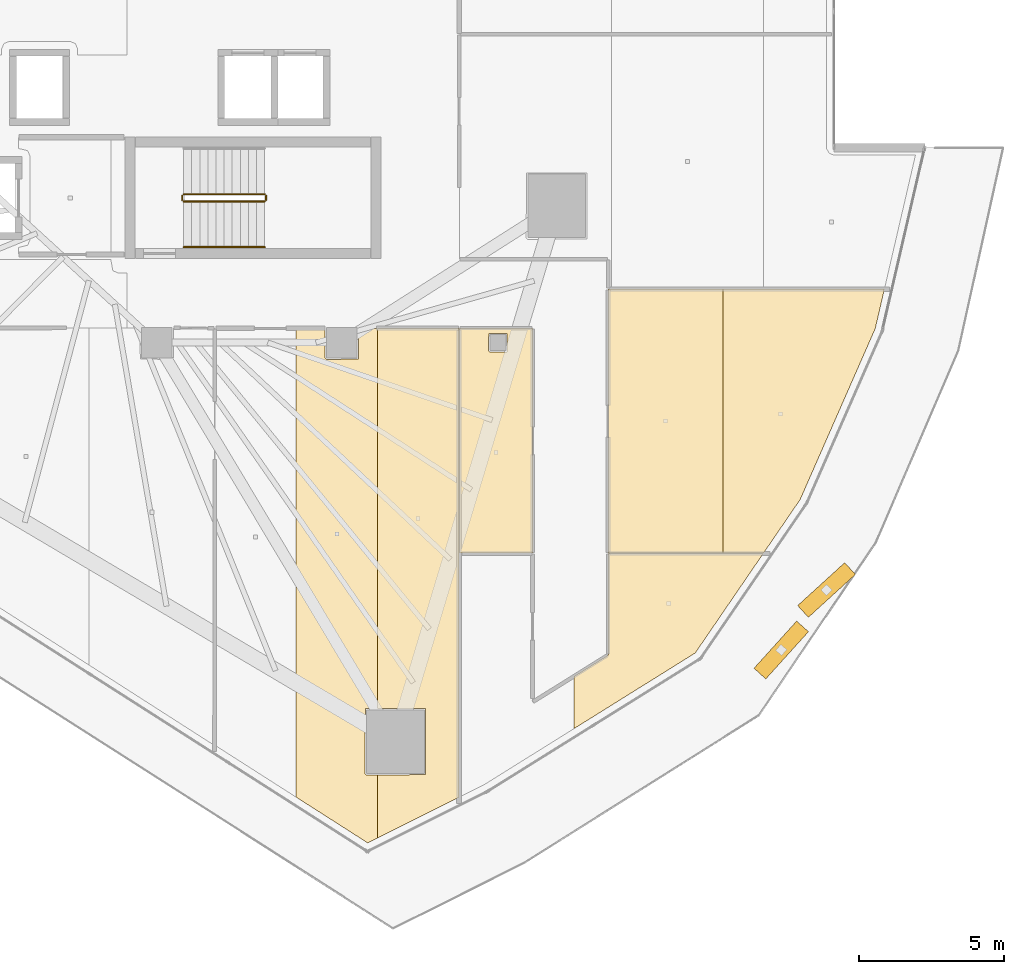
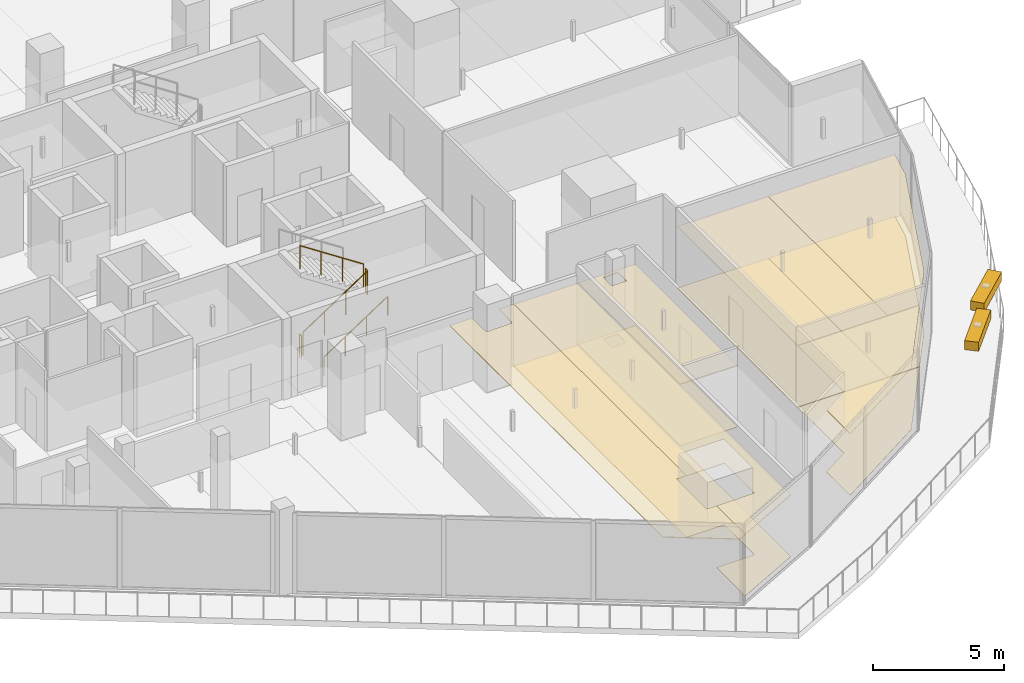
# One storey, part 33 of 36: 11 coverings, 5 railings, 2 shading devices.
"""IFC4 building model written with IfcOpenShell, lengths in metres."""

from ifc_helpers import new_model, si_unit, direction, frame, origin, origin_2d, place, context, subcontext, project, spatial, polyline, rectangle, circle, outline, extrude, material, layer, layer_set, type_object, element, save


model = new_model("IFC4")

# Units and contexts
model_context = context("Model", 3, precision=1e-05, world=origin(), true_north=direction((0.0, 1.0)))
body_context = subcontext(model_context, "Body", "Model", "MODEL_VIEW")
ifc_project = project(units=[si_unit("LENGTHUNIT", "METRE"), si_unit("AREAUNIT", "SQUARE_METRE"), si_unit("VOLUMEUNIT", "CUBIC_METRE"), si_unit("PLANEANGLEUNIT", "RADIAN"), si_unit("MASSUNIT", "GRAM", prefix="KILO")], contexts=[model_context])

# Site, building, storey
site_placement = place(None, origin())
site = spatial("IfcSite", under=ifc_project, at=site_placement, CompositionType="ELEMENT")
building_placement = place(site_placement, origin())
building = spatial("IfcBuilding", under=site, at=building_placement, Name="Qorvath Tower", CompositionType="ELEMENT")
storey_placement = place(building_placement, frame((0.0, 0.0, 170.550048828125)))
storey = spatial("IfcBuildingStorey", under=building, at=storey_placement, Name="L39", CompositionType="ELEMENT", Elevation=170.550048828125)

# Coverings
ifc_material_1 = material(Name="Acoustic mineral fibre ceiling tile", Category="gypsum")
ifc_layer_1 = layer(ifc_material_1, 0.030029296875)
ifc_layer_set_1 = layer_set([ifc_layer_1], Name="COV-CEIL")
covering_type_1 = type_object("IfcCoveringType", Name="COV-CEIL", PredefinedType="CEILING", material=ifc_layer_set_1)
covering_1_placement = place(storey_placement, frame((0.0, 0.0, 2.849853515625)))
element("IfcCovering", 1, at=covering_1_placement, inside=storey, type_object=covering_type_1, Name="L39 Suspended Acoustic Ceiling 017", PredefinedType="CEILING", context=body_context, shape_type="SweptSolid", body=[
    extrude(outline(polyline([(-15.96630859375, -28.58251953125), (-15.96630859375, -26.40283203125), (-16.34423828125, -26.406005859375), (-16.404296875, -26.34619140625), (-16.38671875, -24.103759765625), (-15.96630859375, -24.103759765625), (-15.96630859375, -10.962890625), (-16.614990234375, -10.962890625), (-16.632568359375, -12.017333984375), (-17.72509765625, -12.034912109375), (-17.784912109375, -11.97509765625), (-17.784912109375, -10.962890625), (-18.77783203125, -10.962890625), (-18.77783203125, -27.16943359375), (-16.30322265625, -28.7509765625), (-15.96630859375, -28.58251953125)])), origin(), (0.0, 0.0, 1.0), 0.030029296875),
])
covering_2_placement = place(storey_placement, frame((0.0, 0.0, 2.849853515625)))
element("IfcCovering", 2, at=covering_2_placement, inside=storey, type_object=covering_type_1, Name="L39 Suspended Acoustic Ceiling 018", PredefinedType="CEILING", context=body_context, shape_type="SweptSolid", body=[
    extrude(outline(polyline([(-13.155029296875, -27.177001953125), (-13.155029296875, -10.962890625), (-15.96630859375, -10.962890625), (-15.96630859375, -24.103759765625), (-14.3017578125, -24.103759765625), (-14.3017578125, -26.388427734375), (-15.96630859375, -26.40283203125), (-15.96630859375, -28.58251953125), (-13.155029296875, -27.177001953125)])), origin(), (0.0, 0.0, 1.0), 0.030029296875),
])
covering_3_placement = place(storey_placement, frame((0.0, 0.0, 2.849853515625)))
element("IfcCovering", 3, at=covering_3_placement, inside=storey, type_object=covering_type_1, Name="L39 Suspended Acoustic Ceiling 020", PredefinedType="CEILING", context=body_context, shape_type="SweptSolid", body=[
    extrude(outline(polyline([(-9.174072265625, -22.991943359375), (-9.174072265625, -24.7998046875), (-4.979736328125, -22.182861328125), (-2.63232421875, -18.7490234375), (-7.987060546875, -18.7490234375), (-7.987060546875, -22.25048828125), (-9.174072265625, -22.991943359375)])), origin(), (0.0, 0.0, 1.0), 0.030029296875),
])
covering_4_placement = place(storey_placement, frame((0.0, 0.0, 2.849853515625)))
element("IfcCovering", 4, at=covering_4_placement, inside=storey, type_object=covering_type_1, Name="L39 Suspended Acoustic Ceiling 021", PredefinedType="CEILING", context=body_context, shape_type="SweptSolid", body=[
    extrude(outline(polyline([(-7.987060546875, -18.731201171875), (-4.01611328125, -18.731201171875), (-4.01611328125, -9.6064453125), (-7.987060546875, -9.6064453125), (-7.987060546875, -18.731201171875)])), origin(), (0.0, 0.0, 1.0), 0.030029296875),
])
covering_5_placement = place(storey_placement, frame((0.0, 0.0, 2.849853515625)))
element("IfcCovering", 5, at=covering_5_placement, inside=storey, type_object=covering_type_1, Name="L39 Suspended Acoustic Ceiling 022", PredefinedType="CEILING", context=body_context, shape_type="SweptSolid", body=[
    extrude(outline(polyline([(-4.01611328125, -9.6064453125), (-4.01611328125, -18.731201171875), (-2.619873046875, -18.731201171875), (-1.352294921875, -16.876708984375), (1.243408203125, -10.964599609375), (1.558349609375, -9.6064453125), (-4.01611328125, -9.6064453125)])), origin(), (0.0, 0.0, 1.0), 0.030029296875),
])
covering_6_placement = place(storey_placement, frame((0.0, 0.0, 2.849853515625)))
element("IfcCovering", 6, at=covering_6_placement, inside=storey, type_object=covering_type_1, Name="L39 Suspended Acoustic Ceiling 023", PredefinedType="CEILING", context=body_context, shape_type="SweptSolid", body=[
    extrude(outline(polyline([(-13.136962890625, -10.962890625), (-13.136962890625, -18.731201171875), (-10.613037109375, -18.731201171875), (-10.613037109375, -10.962890625), (-13.136962890625, -10.962890625)]), holes=[polyline([(-12.117431640625, -11.132568359375), (-11.482666015625, -11.132568359375), (-11.482666015625, -11.767333984375), (-12.074951171875, -11.784912109375), (-12.135009765625, -11.72509765625), (-12.117431640625, -11.132568359375)])]), origin(), (0.0, 0.0, 1.0), 0.030029296875),
])
ifc_material_2 = material(Name="Low-VOC modular carpet tile", Category="textile")
ifc_layer_2 = layer(ifc_material_2, 0.014892578125)
ifc_layer_set_2 = layer_set([ifc_layer_2], Name="COV-FLOOR-CPT")
covering_type_2 = type_object("IfcCoveringType", Name="COV-FLOOR-CPT", PredefinedType="FLOORING", material=ifc_layer_set_2)
covering_7_placement = place(storey_placement, origin())
element("IfcCovering", 7, at=covering_7_placement, inside=storey, type_object=covering_type_2, Name="L39 Floor Finish 018", PredefinedType="FLOORING", context=body_context, shape_type="SweptSolid", body=[
    extrude(outline(polyline([(-13.155029296875, -27.177001953125), (-13.155029296875, -10.962890625), (-15.96630859375, -10.962890625), (-15.96630859375, -24.103759765625), (-14.3017578125, -24.103759765625), (-14.3017578125, -26.388427734375), (-15.96630859375, -26.40283203125), (-15.96630859375, -28.58251953125), (-13.155029296875, -27.177001953125)])), origin(), (0.0, 0.0, 1.0), 0.014892578125),
])
covering_8_placement = place(storey_placement, origin())
element("IfcCovering", 8, at=covering_8_placement, inside=storey, type_object=covering_type_2, Name="L39 Floor Finish 020", PredefinedType="FLOORING", context=body_context, shape_type="SweptSolid", body=[
    extrude(outline(polyline([(-9.174072265625, -22.991943359375), (-9.174072265625, -24.7998046875), (-4.979736328125, -22.182861328125), (-2.63232421875, -18.7490234375), (-7.987060546875, -18.7490234375), (-7.987060546875, -22.25048828125), (-9.174072265625, -22.991943359375)])), origin(), (0.0, 0.0, 1.0), 0.014892578125),
])
covering_9_placement = place(storey_placement, origin())
element("IfcCovering", 9, at=covering_9_placement, inside=storey, type_object=covering_type_2, Name="L39 Floor Finish 021", PredefinedType="FLOORING", context=body_context, shape_type="SweptSolid", body=[
    extrude(outline(polyline([(-7.987060546875, -18.731201171875), (-4.01611328125, -18.731201171875), (-4.01611328125, -9.6064453125), (-7.987060546875, -9.6064453125), (-7.987060546875, -18.731201171875)])), origin(), (0.0, 0.0, 1.0), 0.014892578125),
])
covering_10_placement = place(storey_placement, origin())
element("IfcCovering", 10, at=covering_10_placement, inside=storey, type_object=covering_type_2, Name="L39 Floor Finish 022", PredefinedType="FLOORING", context=body_context, shape_type="SweptSolid", body=[
    extrude(outline(polyline([(-4.01611328125, -9.6064453125), (-4.01611328125, -18.731201171875), (-2.619873046875, -18.731201171875), (-1.352294921875, -16.876708984375), (1.243408203125, -10.964599609375), (1.558349609375, -9.6064453125), (-4.01611328125, -9.6064453125)])), origin(), (0.0, 0.0, 1.0), 0.014892578125),
])
covering_11_placement = place(storey_placement, origin())
element("IfcCovering", 11, at=covering_11_placement, inside=storey, type_object=covering_type_2, Name="L39 Floor Finish 023", PredefinedType="FLOORING", context=body_context, shape_type="SweptSolid", body=[
    extrude(outline(polyline([(-13.136962890625, -10.962890625), (-13.136962890625, -18.731201171875), (-10.613037109375, -18.731201171875), (-10.613037109375, -10.962890625), (-13.136962890625, -10.962890625)]), holes=[polyline([(-12.117431640625, -11.132568359375), (-11.482666015625, -11.132568359375), (-11.482666015625, -11.767333984375), (-12.074951171875, -11.784912109375), (-12.135009765625, -11.72509765625), (-12.117431640625, -11.132568359375)])]), origin(), (0.0, 0.0, 1.0), 0.014892578125),
])

# Railings
ifc_material_3 = material(Name="Painted galvanised steel", Category="steel")
railing_type_1 = type_object("IfcRailingType", Name="RL-STR-GRD", PredefinedType="GUARDRAIL", material=ifc_material_3)
railing_1_placement = place(storey_placement, frame((-22.669921875, -6.570068359375, 0.18408203125)))
element("IfcRailing", 12, at=railing_1_placement, inside=storey, type_object=railing_type_1, Name="L39 TS2 stair guard 1", PredefinedType="GUARDRAIL", context=body_context, shape_type="SweptSolid", body=[
    extrude(circle(Radius=0.02392578125, at=origin_2d()), frame((0.0, 0.0, 1.076171875), z_axis=(0.835575518608, 0.0, 0.549375602573), x_axis=(0.0, 1.0, 0.0)), (0.0, 0.0, 1.0), 3.350830078125),
    extrude(circle(Radius=0.02099609375, at=origin_2d()), origin(), (0.0, 0.0, 1.0), 1.052001953125),
    extrude(circle(Radius=0.02099609375, at=origin_2d()), frame((0.933349609375, 0.0, 0.613525390625)), (0.0, 0.0, 1.0), 1.052001953125),
    extrude(circle(Radius=0.02099609375, at=origin_2d()), frame((1.866455078125, 0.0, 1.227294921875)), (0.0, 0.0, 1.0), 1.052001953125),
    extrude(circle(Radius=0.02099609375, at=origin_2d()), frame((2.7998046875, 0.0, 1.8408203125)), (0.0, 0.0, 1.0), 1.052001953125),
])
railing_2_placement = place(storey_placement, frame((-19.820068359375, -6.52001953125, 2.02490234375)))
element("IfcRailing", 13, at=railing_2_placement, inside=storey, type_object=railing_type_1, Name="L39 TS2 stair guard 2", PredefinedType="GUARDRAIL", context=body_context, shape_type="SweptSolid", body=[
    extrude(circle(Radius=0.02392578125, at=origin_2d()), frame((0.0, 0.0, 1.076171875), z_axis=(0.0, 1.0, 0.0), x_axis=(-1.0, 0.0, 0.0)), (0.0, 0.0, 1.0), 0.14990234375),
    extrude(circle(Radius=0.02099609375, at=origin_2d()), origin(), (0.0, 0.0, 1.0), 1.052001953125),
    extrude(circle(Radius=0.02099609375, at=origin_2d()), frame((0.0, 0.14990234375, 0.0)), (0.0, 0.0, 1.0), 1.052001953125),
])
railing_3_placement = place(storey_placement, frame((-19.8701171875, -6.320068359375, 2.208984375)))
element("IfcRailing", 14, at=railing_3_placement, inside=storey, type_object=railing_type_1, Name="L39 TS2 stair guard 3", PredefinedType="GUARDRAIL", context=body_context, shape_type="SweptSolid", body=[
    extrude(circle(Radius=0.02392578125, at=origin_2d()), frame((0.0, 0.0, 1.076171875), z_axis=(-0.835542071712, 0.0, 0.549426470421), x_axis=(0.0, -1.0, 0.0)), (0.0, 0.0, 1.0), 3.350830078125),
    extrude(circle(Radius=0.02099609375, at=origin_2d()), origin(), (0.0, 0.0, 1.0), 1.052001953125),
    extrude(circle(Radius=0.02099609375, at=origin_2d()), frame((-0.933349609375, 0.0, 0.61376953125)), (0.0, 0.0, 1.0), 1.052001953125),
    extrude(circle(Radius=0.02099609375, at=origin_2d()), frame((-1.866455078125, 0.0, 1.227294921875)), (0.0, 0.0, 1.0), 1.052001953125),
    extrude(circle(Radius=0.02099609375, at=origin_2d()), frame((-2.7998046875, 0.0, 1.841064453125)), (0.0, 0.0, 1.0), 1.052001953125),
])
railing_4_placement = place(storey_placement, frame((-22.719970703125, -6.52001953125, 0.0)))
element("IfcRailing", 15, at=railing_4_placement, inside=storey, type_object=railing_type_1, Name="L39 TS2 stair guard 4", PredefinedType="GUARDRAIL", context=body_context, shape_type="SweptSolid", body=[
    extrude(circle(Radius=0.02392578125, at=origin_2d()), frame((0.0, 0.0, 1.076171875), z_axis=(0.0, 1.0, 0.0), x_axis=(-1.0, 0.0, 0.0)), (0.0, 0.0, 1.0), 0.14990234375),
    extrude(circle(Radius=0.02099609375, at=origin_2d()), origin(), (0.0, 0.0, 1.0), 1.052001953125),
    extrude(circle(Radius=0.02099609375, at=origin_2d()), frame((0.0, 0.14990234375, 0.0)), (0.0, 0.0, 1.0), 1.052001953125),
])
ifc_material_4 = material(Name="Brushed stainless steel AISI 304", Category="steel")
railing_type_2 = type_object("IfcRailingType", Name="RL-STR-HND", PredefinedType="HANDRAIL", material=ifc_material_4)
railing_5_placement = place(storey_placement, frame((-22.669921875, -8.14990234375, 0.18408203125)))
element("IfcRailing", 16, at=railing_5_placement, inside=storey, type_object=railing_type_2, Name="L39 TS2 stair handrail 1", PredefinedType="HANDRAIL", context=body_context, shape_type="SweptSolid", body=[
    extrude(circle(Radius=0.02392578125, at=origin_2d()), frame((0.0, 0.0, 0.8759765625), z_axis=(0.835575518608, 0.0, 0.549375602573), x_axis=(0.0, 1.0, 0.0)), (0.0, 0.0, 1.0), 3.350830078125),
    extrude(circle(Radius=0.02099609375, at=origin_2d()), origin(), (0.0, 0.0, 1.0), 0.851806640625),
    extrude(circle(Radius=0.02099609375, at=origin_2d()), frame((0.933349609375, 0.0, 0.613525390625)), (0.0, 0.0, 1.0), 0.851806640625),
    extrude(circle(Radius=0.02099609375, at=origin_2d()), frame((1.866455078125, 0.0, 1.227294921875)), (0.0, 0.0, 1.0), 0.851806640625),
    extrude(circle(Radius=0.02099609375, at=origin_2d()), frame((2.7998046875, 0.0, 1.8408203125)), (0.0, 0.0, 1.0), 0.851806640625),
])

# Shading devices
ifc_material_5 = material(Name="Anodised bronze-champagne aluminium", Category="aluminium")
shading_device_type = type_object("IfcShadingDeviceType", Name="SD-LOUVRE", PredefinedType="JALOUSIE", material=ifc_material_5)
for number, where, z_axis, x_axis, name in (
    (17, (-2.00732421875, -22.079833984375, 3.330078125), (0.0, 0.0, 1.0), (0.670405898823, 0.741994562529, 0.0), "Sinusoidal Wave Louvre Blade L39-02"),
    (18, (-0.44091796875, -20.00537109375, 3.330078125), (0.0, 0.0, 1.0), (0.738918856585, 0.673794422196, 0.0), "Sinusoidal Wave Louvre Blade L39-03"),
):
    element("IfcShadingDevice", number, at=place(storey_placement, frame(where, z_axis=z_axis, x_axis=x_axis)), inside=storey, type_object=shading_device_type, Name=name, PredefinedType="NOTDEFINED", context=body_context, shape_type="SweptSolid", body=[
        extrude(rectangle(XDim=2.199951171875, YDim=0.550048828125, at=origin_2d()), origin(), (0.0, 0.0, 1.0), 0.419921875),
    ])

save(model, "model.ifc")
